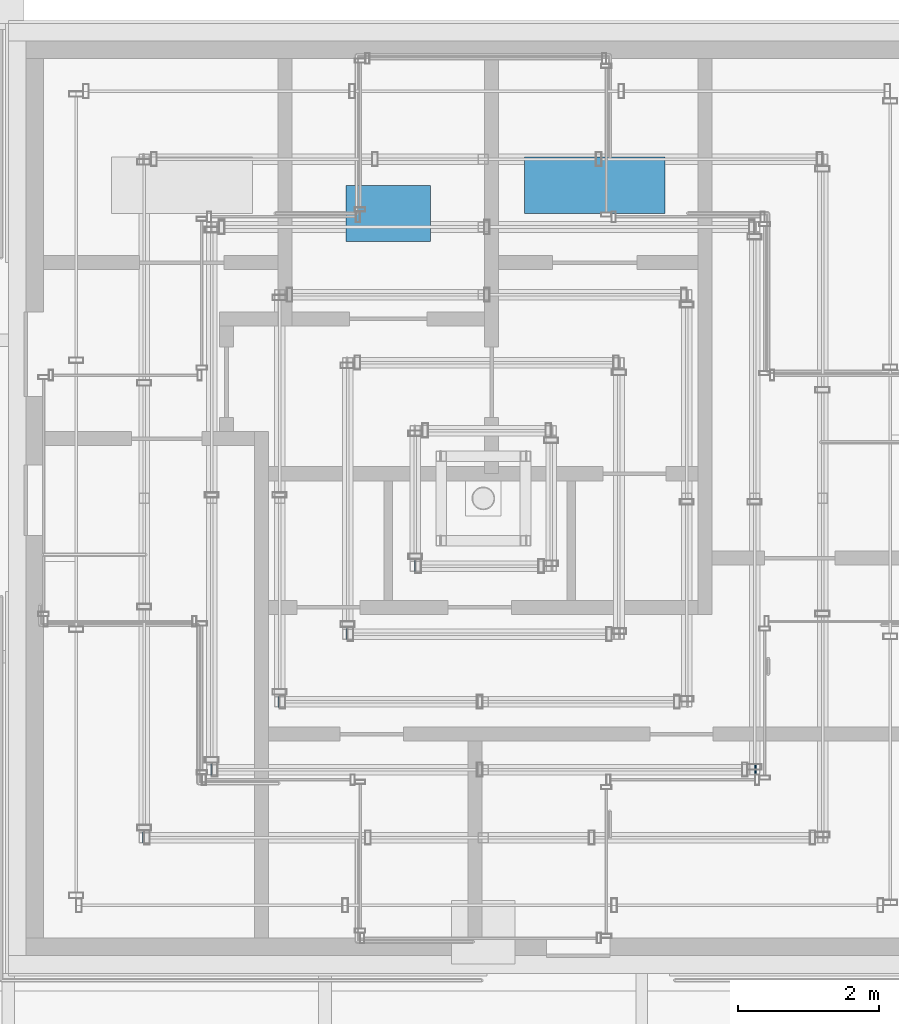
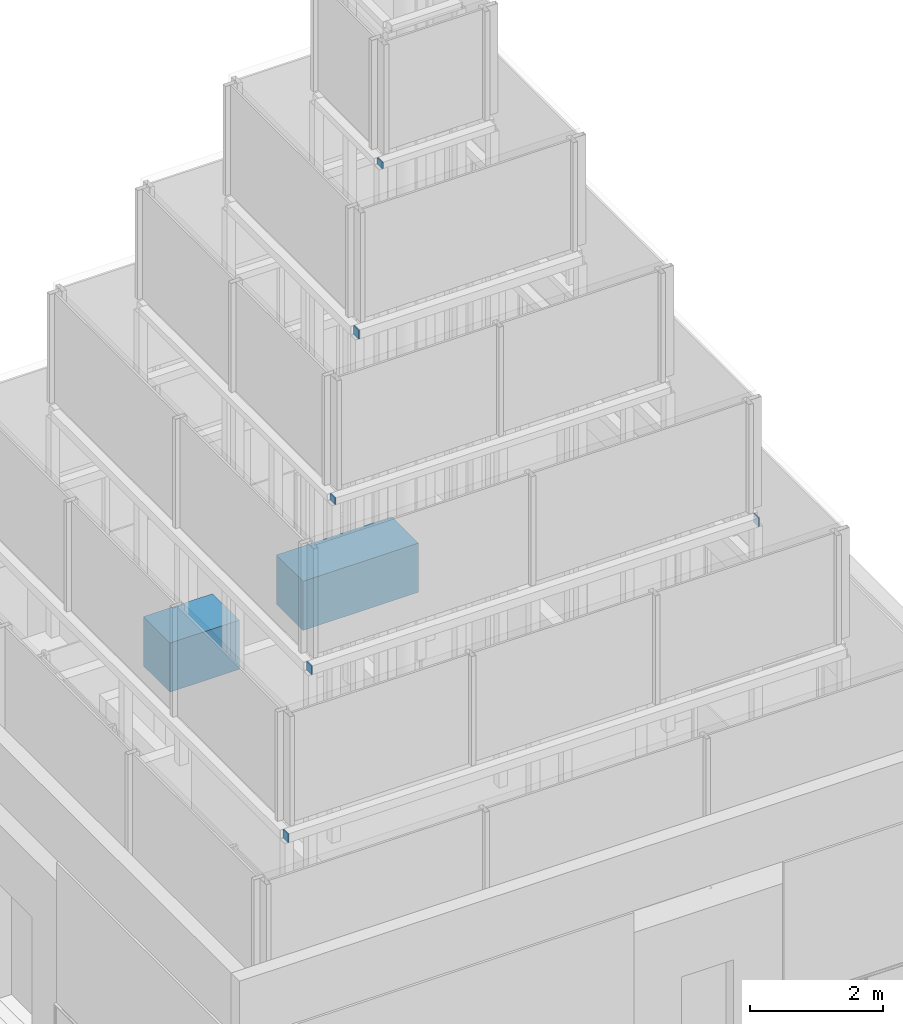
# One storey, part 58 of 62: 8 discrete accessories.
"""IFC4 building model written with IfcOpenShell, lengths in metres."""

from ifc_helpers import new_model, si_unit, direction, frame, origin, origin_2d, place, context, subcontext, project, spatial, rectangle, extrude, element, save


model = new_model("IFC4")

# Units and contexts
model_context = context("Model", 3, precision=1e-05, world=origin(), true_north=direction((0.0, 1.0)))
body_context = subcontext(model_context, "Body", "Model", "MODEL_VIEW")
ifc_project = project(units=[si_unit("LENGTHUNIT", "METRE"), si_unit("AREAUNIT", "SQUARE_METRE"), si_unit("VOLUMEUNIT", "CUBIC_METRE"), si_unit("PLANEANGLEUNIT", "RADIAN"), si_unit("MASSUNIT", "GRAM", prefix="KILO")], contexts=[model_context])

# Site, building, storey
site_placement = place(None, origin())
site = spatial("IfcSite", under=ifc_project, at=site_placement, CompositionType="ELEMENT")
building_placement = place(site_placement, origin())
building = spatial("IfcBuilding", under=site, at=building_placement, Name="Altepetl Exchange Towers", CompositionType="ELEMENT")
storey_placement = place(building_placement, frame((0.0, 0.0, 210.0)))
storey = spatial("IfcBuildingStorey", under=building, at=storey_placement, Name="L53", CompositionType="ELEMENT", Elevation=210.0)

# Discrete accessories
for number, where, z_axis, x_axis, name in (
    (1, (105.418701171875, 37.9287109375, 5.43994140625), (0.0, 0.0, 1.0), (-1.0, 0.0, 0.0), "End cap plate"),
    (2, (106.3828125, 38.892822265625, 7.58984375), (0.0, 0.0, 1.0), (-1.0, 0.0, 0.0), "End cap plate"),
):
    element("IfcDiscreteAccessory", number, at=place(storey_placement, frame(where, z_axis=z_axis, x_axis=x_axis)), inside=storey, Name=name, ObjectType="END CAP PLATE", PredefinedType="USERDEFINED", context=body_context, shape_type="SweptSolid", body=[
        extrude(rectangle(XDim=0.02001953125, YDim=0.14990234375, at=origin_2d()), origin(), (0.0, 0.0, 1.0), 0.159912109375),
    ])
discrete_accessory_1_placement = place(storey_placement, frame((114.1171875, 38.892822265625, 7.58984375)))
element("IfcDiscreteAccessory", 3, at=discrete_accessory_1_placement, inside=storey, Name="End cap plate", ObjectType="END CAP PLATE", PredefinedType="USERDEFINED", context=body_context, shape_type="SweptSolid", body=[
    extrude(rectangle(XDim=0.02001953125, YDim=0.14990234375, at=origin_2d()), origin(), (0.0, 0.0, 1.0), 0.159912109375),
])
discrete_accessory_2_placement = place(storey_placement, frame((107.34716796875, 39.857177734375, 9.780029296875), z_axis=(0.0, 0.0, 1.0), x_axis=(-1.0, 0.0, 0.0)))
element("IfcDiscreteAccessory", 4, at=discrete_accessory_2_placement, inside=storey, Name="End cap plate", ObjectType="END CAP PLATE", PredefinedType="USERDEFINED", context=body_context, shape_type="SweptSolid", body=[
    extrude(rectangle(XDim=0.02001953125, YDim=0.14990234375, at=origin_2d()), origin(), (0.0, 0.0, 1.0), 0.1201171875),
])
discrete_accessory_3_placement = place(storey_placement, frame((108.311279296875, 40.8212890625, 11.89013671875), z_axis=(0.0, 0.0, 1.0), x_axis=(-1.0, 0.0, 0.0)))
element("IfcDiscreteAccessory", 5, at=discrete_accessory_3_placement, inside=storey, Name="End cap plate", ObjectType="END CAP PLATE", PredefinedType="USERDEFINED", context=body_context, shape_type="SweptSolid", body=[
    extrude(rectangle(XDim=0.02001953125, YDim=0.14990234375, at=origin_2d()), origin(), (0.0, 0.0, 1.0), 0.159912109375),
])
discrete_accessory_4_placement = place(storey_placement, frame((109.275634765625, 41.78564453125, 14.079833984375), z_axis=(0.0, 0.0, 1.0), x_axis=(-1.0, 0.0, 0.0)))
element("IfcDiscreteAccessory", 6, at=discrete_accessory_4_placement, inside=storey, Name="End cap plate", ObjectType="END CAP PLATE", PredefinedType="USERDEFINED", context=body_context, shape_type="SweptSolid", body=[
    extrude(rectangle(XDim=0.02001953125, YDim=0.14990234375, at=origin_2d()), origin(), (0.0, 0.0, 1.0), 0.1201171875),
])
discrete_accessory_5_placement = place(storey_placement, frame((108.89990234375, 46.800048828125, 2.0)))
element("IfcDiscreteAccessory", 7, at=discrete_accessory_5_placement, inside=storey, Name="Lift machine FFL1", ObjectType="LIFT MACHINE", PredefinedType="USERDEFINED", context=body_context, shape_type="SweptSolid", body=[
    extrude(rectangle(XDim=1.199951171875, YDim=0.800048828125, at=origin_2d()), origin(), (0.0, 0.0, 1.0), 0.89990234375),
])
discrete_accessory_6_placement = place(storey_placement, frame((111.833251953125, 47.199951171875, 2.0)))
element("IfcDiscreteAccessory", 8, at=discrete_accessory_6_placement, inside=storey, Name="Lift machine P5", ObjectType="LIFT MACHINE", PredefinedType="USERDEFINED", context=body_context, shape_type="SweptSolid", body=[
    extrude(rectangle(XDim=2.0, YDim=0.800048828125, at=origin_2d()), origin(), (0.0, 0.0, 1.0), 0.89990234375),
])

save(model, "model.ifc")
